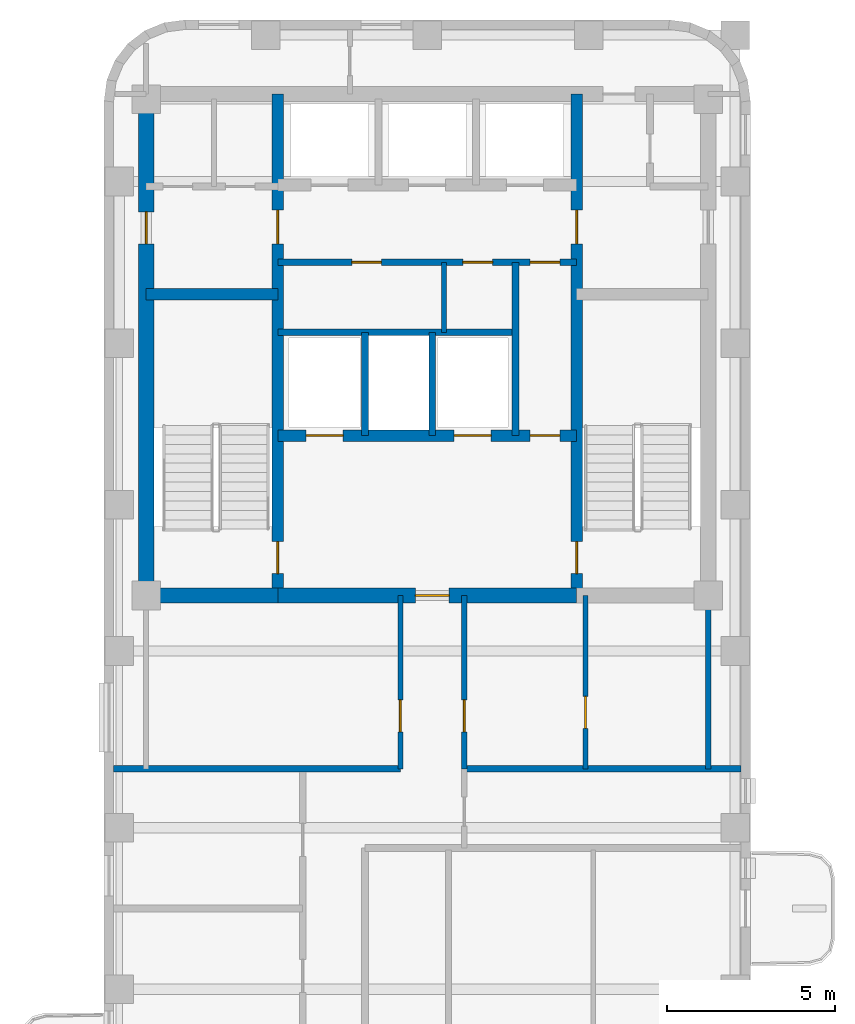
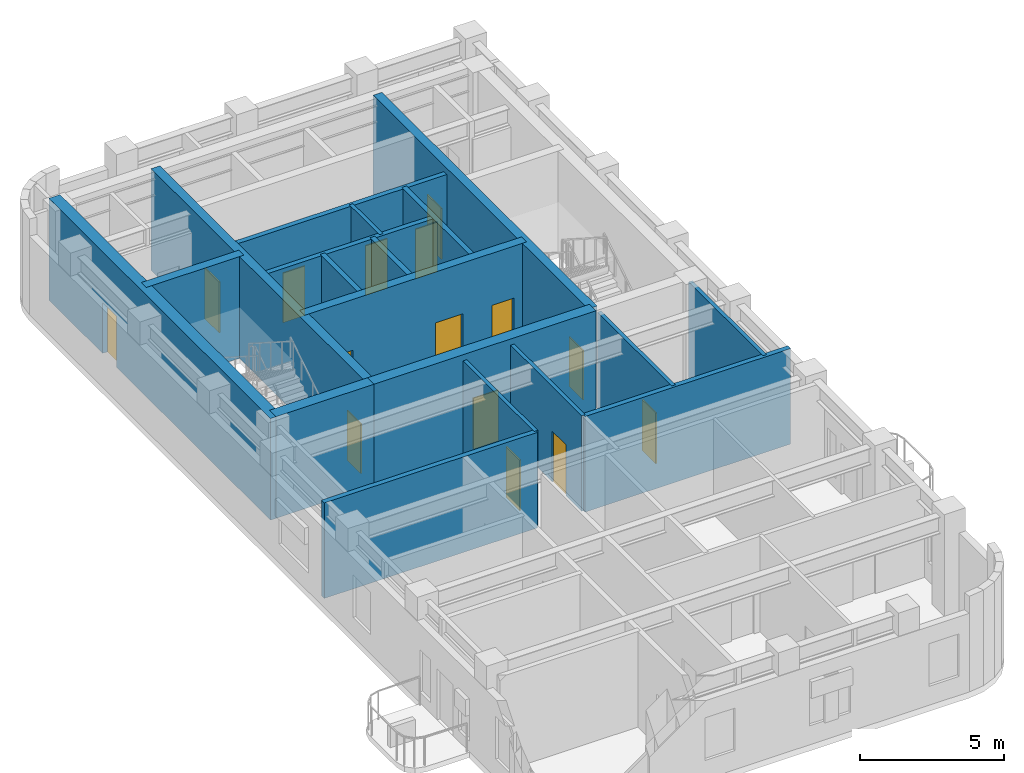
# One storey, part 3 of 6: 19 walls, 15 doors, 15 openings.
"""IFC4 building model written with IfcOpenShell, lengths in metres."""

import ifcopenshell
import ifcopenshell.guid

model = None  # the IFC model being written
_history = None  # IfcOwnerHistory: only IFC2X3 demands one
_inside = {}  # id of a spatial element -> (the spatial element, [elements in it])
_under = {}  # id of a project, library or spatial element -> (it, [spatial elements below it])
_declared = {}  # id of a project -> (the project, [libraries it declares])
_typed = {}  # id of a type object -> (the type object, [elements of that type])
_made_of = {}  # id of a material, layer set ... -> (it, [elements and type objects made of it])


def new_model(schema):
    """Start an empty IFC model of exactly this schema.

    Asked for "IFC4X3", IfcOpenShell would pick the latest addendum, in which some entities
    have other attributes; the version numbers below select the first issue.
    IFC2X3 requires an IfcOwnerHistory on every rooted entity: one is made here for all.
    """
    global model, _history
    if schema == "IFC4X3":
        model = ifcopenshell.file(schema_version=(4, 3, 0, 0))
    else:
        model = ifcopenshell.file(schema=schema)
    _inside.clear()
    _under.clear()
    _declared.clear()
    _typed.clear()
    _made_of.clear()
    _history = None
    if model.schema == "IFC2X3":
        org = make("IfcOrganization", Name="unknown")
        user = make(
            "IfcPersonAndOrganization",
            ThePerson=make("IfcPerson", FamilyName="unknown"),
            TheOrganization=org,
        )
        app = make(
            "IfcApplication",
            ApplicationDeveloper=org,
            Version="unknown",
            ApplicationFullName="unknown",
            ApplicationIdentifier="unknown",
        )
        _history = make(
            "IfcOwnerHistory",
            OwningUser=user,
            OwningApplication=app,
            ChangeAction="ADDED",
            CreationDate=0,
        )
    return model


def make(cls, **values):
    """One entity of the class cls with the attributes given. An attribute that is None is left unset."""
    return model.create_entity(
        cls, **{name: value for name, value in values.items() if value is not None}
    )


def rooted(cls, **values):
    """An entity with a GlobalId (a new one), such as an element, a storey or a relation."""
    return make(cls, GlobalId=ifcopenshell.guid.new(), OwnerHistory=_history, **values)


def si_unit(unit_type, name, prefix=None):
    """IfcSIUnit, for example si_unit("LENGTHUNIT", "METRE", prefix="MILLI")."""
    return make("IfcSIUnit", UnitType=unit_type, Prefix=prefix, Name=name)


def assignment(units):
    """IfcUnitAssignment: the units of a project."""
    return None if units is None else make("IfcUnitAssignment", Units=units)


def point(xyz):
    """IfcCartesianPoint."""
    return None if xyz is None else make("IfcCartesianPoint", Coordinates=xyz)


def direction(xyz):
    """IfcDirection."""
    return None if xyz is None else make("IfcDirection", DirectionRatios=xyz)


def frame(location, z_axis=None, x_axis=None):
    """IfcAxis2Placement3D, a coordinate frame: its origin and axes. An axis left out is left unset."""
    return make(
        "IfcAxis2Placement3D",
        Location=point(location),
        Axis=direction(z_axis),
        RefDirection=direction(x_axis),
    )


def frame_2d(location, x_axis=None):
    """IfcAxis2Placement2D, a coordinate frame in the plane: its origin and x axis."""
    return make(
        "IfcAxis2Placement2D", Location=point(location), RefDirection=direction(x_axis)
    )


def origin():
    """The frame at (0, 0, 0) with its axes left unset."""
    return frame((0.0, 0.0, 0.0))


def place(relative_to, where):
    """IfcLocalPlacement: puts the frame where relative to a parent placement (None: the world)."""
    return make(
        "IfcLocalPlacement", PlacementRelTo=relative_to, RelativePlacement=where
    )


def context(
    kind, dimensions, precision=None, world=None, true_north=None, identifier=None
):
    """IfcGeometricRepresentationContext, for example the 3D "Model" context."""
    return make(
        "IfcGeometricRepresentationContext",
        ContextIdentifier=identifier,
        ContextType=kind,
        CoordinateSpaceDimension=dimensions,
        Precision=precision,
        WorldCoordinateSystem=world,
        TrueNorth=true_north,
    )


def subcontext(parent, identifier, kind, view, scale=None):
    """IfcGeometricRepresentationSubContext, for example "Body" below "Model"."""
    return make(
        "IfcGeometricRepresentationSubContext",
        ContextIdentifier=identifier,
        ContextType=kind,
        ParentContext=parent,
        TargetScale=scale,
        TargetView=view,
    )


def project(units=None, contexts=None):
    """IfcProject with its units and contexts."""
    return rooted(
        "IfcProject",
        Name="project",
        RepresentationContexts=contexts,
        UnitsInContext=assignment(units),
    )


def spatial(cls, under=None, at=None, **own):
    """A site, building, storey or space (cls), placed at a placement, below another one or the project."""
    s = rooted(cls, ObjectPlacement=at, **own)
    if under is not None:
        _under.setdefault(under.id(), (under, []))[1].append(s)
    return s


def profile(cls, at=None, kind="AREA", **sizes):
    """A parametric profile (cls). Its sizes go by their IFC names, for example OverallWidth=200.0."""
    return make(cls, ProfileType=kind, Position=at, **sizes)


def rectangle(**sizes):
    """IfcRectangleProfileDef."""
    return profile("IfcRectangleProfileDef", **sizes)


def extrude(swept, where, along, depth):
    """IfcExtrudedAreaSolid: the profile swept, set in the frame where, extruded along a direction by depth."""
    return make(
        "IfcExtrudedAreaSolid",
        SweptArea=swept,
        Position=where,
        ExtrudedDirection=direction(along),
        Depth=depth,
    )


def shape(context_of_items, identifier, shape_type, items):
    """IfcShapeRepresentation: the items that make up one representation, for example the "Body"."""
    return make(
        "IfcShapeRepresentation",
        ContextOfItems=context_of_items,
        RepresentationIdentifier=identifier,
        RepresentationType=shape_type,
        Items=items,
    )


def material(Name=None, Category=None):
    """IfcMaterial."""
    return make("IfcMaterial", Name=Name, Category=Category)


def layer(
    of_material, thickness, ventilated=None, Name=None, Category=None, Priority=None
):
    """IfcMaterialLayer: one layer of a wall or slab, of a material (None: an air gap)."""
    return make(
        "IfcMaterialLayer",
        Material=of_material,
        LayerThickness=thickness,
        IsVentilated=ventilated,
        Name=Name,
        Category=Category,
        Priority=Priority,
    )


def layer_set(layers, Name=None):
    """IfcMaterialLayerSet."""
    return make("IfcMaterialLayerSet", MaterialLayers=layers, LayerSetName=Name)


def made_of(thing, what):
    """Note that an element or type object is made of a material, layer set ...; save() writes the relation."""
    if what is not None:
        _made_of.setdefault(what.id(), (what, []))[1].append(thing)
    return thing


def type_object(cls, material=None, **own):
    """A type object (cls), such as IfcWallType, which elements share."""
    return made_of(rooted(cls, **own), material)


def element(
    cls,
    number,
    at=None,
    inside=None,
    cuts=None,
    type_object=None,
    material=None,
    context=None,
    identifier="Body",
    shape_type=None,
    held_by="IfcProductDefinitionShape",
    body=None,
    shapes=None,
    **own,
):
    """One element of the class cls, such as IfcWall. Its Tag is "e" and its number.

    at: its placement. inside: the storey or other place that contains it. cuts: it is an
    opening in that element (IfcRelVoidsElement). A single representation is given by context,
    identifier, shape_type and body (its items); several are given by shapes. held_by: the class
    of the entity that holds the representations. save() writes the other relations.
    """
    e = rooted(cls, Tag="e%d" % number, ObjectPlacement=at, **own)
    if body is not None:
        shapes = [shape(context, identifier, shape_type, body)]
    if shapes is not None:
        e.Representation = make(held_by, Representations=shapes)
    if inside is not None:
        _inside.setdefault(inside.id(), (inside, []))[1].append(e)
    if cuts is not None:
        rooted(
            "IfcRelVoidsElement", RelatingBuildingElement=cuts, RelatedOpeningElement=e
        )
    if type_object is not None:
        _typed.setdefault(type_object.id(), (type_object, []))[1].append(e)
    return made_of(e, material)


def fill(opening, filler):
    """IfcRelFillsElement: the door or window that sits in an opening."""
    return rooted(
        "IfcRelFillsElement",
        RelatingOpeningElement=opening,
        RelatedBuildingElement=filler,
    )


def aggregate(whole, parts):
    """IfcRelAggregates: a whole, such as a stair, and the parts it consists of."""
    return rooted("IfcRelAggregates", RelatingObject=whole, RelatedObjects=parts)


def save(model, path):
    """Write the relations noted so far, then the file.

    IfcRelAggregates (storeys below a building ...), IfcRelContainedInSpatialStructure (elements
    in a storey), IfcRelDefinesByType, IfcRelAssociatesMaterial and IfcRelDeclares: one each for
    every whole, place, type object, material and project.
    """
    for whole, parts in _under.values():
        aggregate(whole, parts)
    for where, things in _inside.values():
        rooted(
            "IfcRelContainedInSpatialStructure",
            RelatedElements=things,
            RelatingStructure=where,
        )
    for kind, things in _typed.values():
        rooted("IfcRelDefinesByType", RelatedObjects=things, RelatingType=kind)
    for what, things in _made_of.values():
        rooted("IfcRelAssociatesMaterial", RelatedObjects=things, RelatingMaterial=what)
    for by, libraries in _declared.values():
        rooted("IfcRelDeclares", RelatingContext=by, RelatedDefinitions=libraries)
    model.write(path)


model = new_model("IFC4")

# Units and contexts
model_context = context("Model", 3, precision=1e-05, world=origin(), true_north=direction((0.0, 1.0)))
body_context = subcontext(model_context, "Body", "Model", "MODEL_VIEW")
ifc_project = project(units=[si_unit("LENGTHUNIT", "METRE"), si_unit("AREAUNIT", "SQUARE_METRE"), si_unit("VOLUMEUNIT", "CUBIC_METRE"), si_unit("PLANEANGLEUNIT", "RADIAN"), si_unit("MASSUNIT", "GRAM", prefix="KILO")], contexts=[model_context])

# Site, building, storey
site_placement = place(None, origin())
site = spatial("IfcSite", under=ifc_project, at=site_placement, CompositionType="ELEMENT")
building_placement = place(site_placement, origin())
building = spatial("IfcBuilding", under=site, at=building_placement, Name="Orvandelia Arch Residences", CompositionType="ELEMENT")
storey_placement = place(building_placement, frame((0.0, 0.0, 244.10009765625)))
storey = spatial("IfcBuildingStorey", under=building, at=storey_placement, Name="L64", CompositionType="ELEMENT", Elevation=244.10009765625)

# Wall, openings, doors
ifc_material_1 = material(Name="Concrete C50/60", Category="concrete")
ifc_layer_1 = layer(ifc_material_1, 0.35009765625, Name="Concrete C50/60", Category="concrete")
ifc_layer_set_1 = layer_set([ifc_layer_1], Name="Concrete C50/60")
wall_type_1 = type_object("IfcWallType", Name="WL-CORE-350", PredefinedType="SHEAR", material=ifc_layer_set_1)
wall_1_placement = place(storey_placement, frame((9.9599609375, 30.89990234375, 0.0), z_axis=(0.0, 0.0, 1.0), x_axis=(0.0, 1.0, 0.0)))
wall_1 = element("IfcWall", 1, at=wall_1_placement, inside=storey, type_object=wall_type_1, Name="Core Shear Wall L64-WEB1", PredefinedType="SHEAR", context=body_context, shape_type="SweptSolid", body=[
    extrude(rectangle(XDim=14.900146484375, YDim=0.35009765625, at=frame_2d((7.4501953125, 0.0))), origin(), (0.0, 0.0, 1.0), 4.2998046875),
])
opening_1_placement = place(wall_1_placement, frame((0.64990234375, 0.0, 0.0)))
opening_1 = element("IfcOpeningElement", 2, at=opening_1_placement, cuts=wall_1, Name="Opening D7", PredefinedType="OPENING", context=body_context, shape_type="SweptSolid", body=[
    extrude(rectangle(XDim=0.949951171875, YDim=2.10009765625, at=frame_2d((0.47509765625, 1.050048828125))), frame((0.0, 0.18505859375, 0.0), z_axis=(0.0, -1.0, 0.0), x_axis=(1.0, 0.0, 0.0)), (0.0, 0.0, 1.0), 0.3701171875),
])
opening_2_placement = place(wall_1_placement, frame((10.449951171875, 0.0, 0.0)))
opening_2 = element("IfcOpeningElement", 3, at=opening_2_placement, cuts=wall_1, Name="Opening D6", PredefinedType="OPENING", context=body_context, shape_type="SweptSolid", body=[
    extrude(rectangle(XDim=1.0, YDim=2.14990234375, at=frame_2d((0.5, 1.074951171875))), frame((0.0, 0.18505859375, 0.0), z_axis=(0.0, -1.0, 0.0), x_axis=(1.0, 0.0, 0.0)), (0.0, 0.0, 1.0), 0.3701171875),
])
ifc_material_2 = material(Name="Smokeproof Painted Steel Fire Door", Category="steel")
door_type_1 = type_object("IfcDoorType", Name="DR-FD60-1000", OperationType="NOTDEFINED", PredefinedType="DOOR", material=ifc_material_2)
door_1_placement = place(opening_2_placement, origin())
door_1 = element("IfcDoor", 4, at=door_1_placement, inside=storey, type_object=door_type_1, Name="High-Rise Lift Hall West Vestibule Door L64", OperationType="SINGLE_SWING_LEFT", OverallHeight=2.14990234375, OverallWidth=1.0, PredefinedType="DOOR", context=body_context, shape_type="SweptSolid", body=[
    extrude(rectangle(XDim=1.0, YDim=2.14990234375, at=frame_2d((0.5, 1.074951171875))), frame((0.0, 0.02490234375, 0.0), z_axis=(0.0, -1.0, 0.0), x_axis=(1.0, 0.0, 0.0)), (0.0, 0.0, 1.0), 0.050048828125),
])
fill(opening_2, door_1)
ifc_material_3 = material(Name="Pressurised Stairwell Fire Door")
door_type_2 = type_object("IfcDoorType", Name="DR-STAIR-950", OperationType="NOTDEFINED", PredefinedType="DOOR", material=ifc_material_3)
door_2_placement = place(opening_1_placement, origin())
door_2 = element("IfcDoor", 5, at=door_2_placement, inside=storey, type_object=door_type_2, Name="Stairwell ST-1 Fire Door L64", OperationType="SINGLE_SWING_LEFT", OverallHeight=2.10009765625, OverallWidth=0.949951171875, PredefinedType="DOOR", context=body_context, shape_type="SweptSolid", body=[
    extrude(rectangle(XDim=0.949951171875, YDim=2.10009765625, at=frame_2d((0.47509765625, 1.050048828125))), frame((0.0, 0.02490234375, 0.0), z_axis=(0.0, -1.0, 0.0), x_axis=(1.0, 0.0, 0.0)), (0.0, 0.0, 1.0), 0.050048828125),
])
fill(opening_1, door_2)

wall_2_placement = place(storey_placement, frame((18.840087890625, 30.89990234375, 0.0), z_axis=(0.0, 0.0, 1.0), x_axis=(0.0, 1.0, 0.0)))
wall_2 = element("IfcWall", 6, at=wall_2_placement, inside=storey, type_object=wall_type_1, Name="Core Shear Wall L64-WEB2", PredefinedType="SHEAR", context=body_context, shape_type="SweptSolid", body=[
    extrude(rectangle(XDim=14.900146484375, YDim=0.35009765625, at=frame_2d((7.4501953125, 0.0))), origin(), (0.0, 0.0, 1.0), 4.2998046875),
])
opening_3_placement = place(wall_2_placement, frame((0.64990234375, 0.0, 0.0)))
opening_3 = element("IfcOpeningElement", 7, at=opening_3_placement, cuts=wall_2, Name="Opening D7", PredefinedType="OPENING", context=body_context, shape_type="SweptSolid", body=[
    extrude(rectangle(XDim=0.949951171875, YDim=2.10009765625, at=frame_2d((0.47509765625, 1.050048828125))), frame((0.0, 0.18505859375, 0.0), z_axis=(0.0, -1.0, 0.0), x_axis=(1.0, 0.0, 0.0)), (0.0, 0.0, 1.0), 0.3701171875),
])
opening_4_placement = place(wall_2_placement, frame((10.449951171875, 0.0, 0.0)))
opening_4 = element("IfcOpeningElement", 8, at=opening_4_placement, cuts=wall_2, Name="Opening D6", PredefinedType="OPENING", context=body_context, shape_type="SweptSolid", body=[
    extrude(rectangle(XDim=1.0, YDim=2.14990234375, at=frame_2d((0.5, 1.074951171875))), frame((0.0, 0.18505859375, 0.0), z_axis=(0.0, -1.0, 0.0), x_axis=(1.0, 0.0, 0.0)), (0.0, 0.0, 1.0), 0.3701171875),
])
door_3_placement = place(opening_4_placement, origin())
door_3 = element("IfcDoor", 9, at=door_3_placement, inside=storey, type_object=door_type_1, Name="High-Rise Lift Hall East Vestibule Door L64", OperationType="SINGLE_SWING_RIGHT", OverallHeight=2.14990234375, OverallWidth=1.0, PredefinedType="DOOR", context=body_context, shape_type="SweptSolid", body=[
    extrude(rectangle(XDim=1.0, YDim=2.14990234375, at=frame_2d((0.5, 1.074951171875))), frame((0.0, 0.02490234375, 0.0), z_axis=(0.0, -1.0, 0.0), x_axis=(1.0, 0.0, 0.0)), (0.0, 0.0, 1.0), 0.050048828125),
])
fill(opening_4, door_3)
door_4_placement = place(opening_3_placement, origin())
door_4 = element("IfcDoor", 10, at=door_4_placement, inside=storey, type_object=door_type_2, Name="Stairwell ST-2 Fire Door L64", OperationType="SINGLE_SWING_RIGHT", OverallHeight=2.10009765625, OverallWidth=0.949951171875, PredefinedType="DOOR", context=body_context, shape_type="SweptSolid", body=[
    extrude(rectangle(XDim=0.949951171875, YDim=2.10009765625, at=frame_2d((0.47509765625, 1.050048828125))), frame((0.0, 0.02490234375, 0.0), z_axis=(0.0, -1.0, 0.0), x_axis=(1.0, 0.0, 0.0)), (0.0, 0.0, 1.0), 0.050048828125),
])
fill(opening_3, door_4)

# Wall
wall_3_placement = place(storey_placement, frame((6.050048828125, 39.85009765625, 0.0), z_axis=(0.0, 0.0, 1.0), x_axis=(1.0, 0.0, 0.0)))
element("IfcWall", 11, at=wall_3_placement, inside=storey, type_object=wall_type_1, Name="Core Shear Wall L64-HZ1", PredefinedType="SHEAR", context=body_context, shape_type="SweptSolid", body=[
    extrude(rectangle(XDim=3.909912109375, YDim=0.35009765625, at=frame_2d((1.955078125, 0.0))), origin(), (0.0, 0.0, 1.0), 4.2998046875),
])

# Wall, openings, doors
wall_4_placement = place(storey_placement, frame((9.9599609375, 35.64990234375, 0.0), z_axis=(0.0, 0.0, 1.0), x_axis=(1.0, 0.0, 0.0)))
wall_4 = element("IfcWall", 12, at=wall_4_placement, inside=storey, type_object=wall_type_1, Name="Core Shear Wall L64-HZ3", PredefinedType="SHEAR", context=body_context, shape_type="SweptSolid", body=[
    extrude(rectangle(XDim=8.880126953125, YDim=0.35009765625, at=frame_2d((4.43994140625, 0.0))), origin(), (0.0, 0.0, 1.0), 4.2998046875),
])
opening_5_placement = place(wall_4_placement, frame((0.840087890625, 0.0, 0.0)))
opening_5 = element("IfcOpeningElement", 13, at=opening_5_placement, cuts=wall_4, Name="Opening FLD", PredefinedType="OPENING", context=body_context, shape_type="SweptSolid", body=[
    extrude(rectangle(XDim=1.10009765625, YDim=2.14990234375, at=frame_2d((0.550048828125, 1.074951171875))), frame((0.0, 0.18505859375, 0.0), z_axis=(0.0, -1.0, 0.0), x_axis=(1.0, 0.0, 0.0)), (0.0, 0.0, 1.0), 0.3701171875),
])
opening_6_placement = place(wall_4_placement, frame((5.239990234375, 0.0, 0.0)))
opening_6 = element("IfcOpeningElement", 14, at=opening_6_placement, cuts=wall_4, Name="Opening FLD", PredefinedType="OPENING", context=body_context, shape_type="SweptSolid", body=[
    extrude(rectangle(XDim=1.10009765625, YDim=2.14990234375, at=frame_2d((0.550048828125, 1.074951171875))), frame((0.0, 0.18505859375, 0.0), z_axis=(0.0, -1.0, 0.0), x_axis=(1.0, 0.0, 0.0)), (0.0, 0.0, 1.0), 0.3701171875),
])
opening_7_placement = place(wall_4_placement, frame((7.5, 0.0, 0.0)))
opening_7 = element("IfcOpeningElement", 15, at=opening_7_placement, cuts=wall_4, Name="Opening D5", PredefinedType="OPENING", context=body_context, shape_type="SweptSolid", body=[
    extrude(rectangle(XDim=0.8798828125, YDim=2.10009765625, at=frame_2d((0.43994140625, 1.050048828125))), frame((0.0, 0.18505859375, 0.0), z_axis=(0.0, -1.0, 0.0), x_axis=(1.0, 0.0, 0.0)), (0.0, 0.0, 1.0), 0.3701171875),
])
ifc_material_4 = material(Name="Firefighting Lift Stainless Sliding Door")
door_type_3 = type_object("IfcDoorType", Name="DR-FLFT-1100", OperationType="NOTDEFINED", PredefinedType="DOOR", material=ifc_material_4)
door_5_placement = place(opening_5_placement, origin())
door_5 = element("IfcDoor", 16, at=door_5_placement, inside=storey, type_object=door_type_3, Name="Firefighting Lift Landing Door FLD-FL1-L64", OperationType="SLIDING_TO_LEFT", OverallHeight=2.14990234375, OverallWidth=1.10009765625, PredefinedType="DOOR", context=body_context, shape_type="SweptSolid", body=[
    extrude(rectangle(XDim=1.10009765625, YDim=2.14990234375, at=frame_2d((0.550048828125, 1.074951171875))), frame((0.0, 0.02490234375, 0.0), z_axis=(0.0, -1.0, 0.0), x_axis=(1.0, 0.0, 0.0)), (0.0, 0.0, 1.0), 0.050048828125),
])
fill(opening_5, door_5)
door_6_placement = place(opening_6_placement, origin())
door_6 = element("IfcDoor", 17, at=door_6_placement, inside=storey, type_object=door_type_3, Name="Firefighting Lift Landing Door FLD-FL2-L64", OperationType="SLIDING_TO_RIGHT", OverallHeight=2.14990234375, OverallWidth=1.10009765625, PredefinedType="DOOR", context=body_context, shape_type="SweptSolid", body=[
    extrude(rectangle(XDim=1.10009765625, YDim=2.14990234375, at=frame_2d((0.550048828125, 1.074951171875))), frame((0.0, 0.02490234375, 0.0), z_axis=(0.0, -1.0, 0.0), x_axis=(1.0, 0.0, 0.0)), (0.0, 0.0, 1.0), 0.050048828125),
])
fill(opening_6, door_6)
ifc_material_5 = material(Name="Painted Galvanised Steel Service Door", Category="steel")
door_type_4 = type_object("IfcDoorType", Name="DR-SRV-880", OperationType="NOTDEFINED", PredefinedType="DOOR", material=ifc_material_5)
door_7_placement = place(opening_7_placement, origin())
door_7 = element("IfcDoor", 18, at=door_7_placement, inside=storey, type_object=door_type_4, Name="Core Stairway Passage South Fire Door L64", OperationType="SINGLE_SWING_LEFT", OverallHeight=2.10009765625, OverallWidth=0.8798828125, PredefinedType="DOOR", context=body_context, shape_type="SweptSolid", body=[
    extrude(rectangle(XDim=0.8798828125, YDim=2.10009765625, at=frame_2d((0.43994140625, 1.050048828125))), frame((0.0, 0.02490234375, 0.0), z_axis=(0.0, -1.0, 0.0), x_axis=(1.0, 0.0, 0.0)), (0.0, 0.0, 1.0), 0.050048828125),
])
fill(opening_7, door_7)

# Wall, opening, door
ifc_layer_2 = layer(ifc_material_1, 0.449951171875, Name="Concrete C50/60", Category="concrete")
ifc_layer_set_2 = layer_set([ifc_layer_2], Name="Concrete C50/60")
wall_type_2 = type_object("IfcWallType", Name="WL-CORE-450", PredefinedType="SHEAR", material=ifc_layer_set_2)
wall_5_placement = place(storey_placement, frame((6.050048828125, 30.675048828125, 0.0), z_axis=(0.0, 0.0, 1.0), x_axis=(0.0, 1.0, 0.0)))
wall_5 = element("IfcWall", 19, at=wall_5_placement, inside=storey, type_object=wall_type_2, Name="Core Shear Wall L64-W", PredefinedType="SHEAR", context=body_context, shape_type="SweptSolid", body=[
    extrude(rectangle(XDim=15.349853515625, YDim=0.449951171875, at=frame_2d((7.6748046875, 0.0))), origin(), (0.0, 0.0, 1.0), 4.2998046875),
])
opening_8_placement = place(wall_5_placement, frame((10.675048828125, 0.0, 0.0)))
opening_8 = element("IfcOpeningElement", 20, at=opening_8_placement, cuts=wall_5, Name="Opening D2", PredefinedType="OPENING", context=body_context, shape_type="SweptSolid", body=[
    extrude(rectangle(XDim=0.949951171875, YDim=2.14990234375, at=frame_2d((0.47509765625, 1.074951171875))), frame((0.0, 0.23486328125, 0.0), z_axis=(0.0, -1.0, 0.0), x_axis=(1.0, 0.0, 0.0)), (0.0, 0.0, 1.0), 0.469970703125),
])
ifc_material_6 = material(Name="Solid-Core Timber Interior Fire Door", Category="wood")
door_type_5 = type_object("IfcDoorType", Name="DR-APT-950", OperationType="NOTDEFINED", PredefinedType="DOOR", material=ifc_material_6)
door_8_placement = place(opening_8_placement, origin())
door_8 = element("IfcDoor", 21, at=door_8_placement, inside=storey, type_object=door_type_5, Name="West Viewing Study Door L64", OperationType="SINGLE_SWING_RIGHT", OverallHeight=2.14990234375, OverallWidth=0.949951171875, PredefinedType="DOOR", context=body_context, shape_type="SweptSolid", body=[
    extrude(rectangle(XDim=0.949951171875, YDim=2.14990234375, at=frame_2d((0.47509765625, 1.074951171875))), frame((0.0, 0.02490234375, 0.0), z_axis=(0.0, -1.0, 0.0), x_axis=(1.0, 0.0, 0.0)), (0.0, 0.0, 1.0), 0.050048828125),
])
fill(opening_8, door_8)

# Wall
wall_6_placement = place(storey_placement, frame((6.050048828125, 30.89990234375, 0.0), z_axis=(0.0, 0.0, 1.0), x_axis=(1.0, 0.0, 0.0)))
element("IfcWall", 22, at=wall_6_placement, inside=storey, type_object=wall_type_2, Name="Core Shear Wall L64-SW", PredefinedType="SHEAR", context=body_context, shape_type="SweptSolid", body=[
    extrude(rectangle(XDim=3.909912109375, YDim=0.449951171875, at=frame_2d((1.955078125, 0.0))), origin(), (0.0, 0.0, 1.0), 4.2998046875),
])

# Wall, opening, door
wall_7_placement = place(storey_placement, frame((9.9599609375, 30.89990234375, 0.0), z_axis=(0.0, 0.0, 1.0), x_axis=(1.0, 0.0, 0.0)))
wall_7 = element("IfcWall", 23, at=wall_7_placement, inside=storey, type_object=wall_type_2, Name="Core Shear Wall L64-SM", PredefinedType="SHEAR", context=body_context, shape_type="SweptSolid", body=[
    extrude(rectangle(XDim=8.880126953125, YDim=0.449951171875, at=frame_2d((4.43994140625, 0.0))), origin(), (0.0, 0.0, 1.0), 4.2998046875),
])
opening_9_placement = place(wall_7_placement, frame((4.090087890625, 0.0, 0.0)))
opening_9 = element("IfcOpeningElement", 24, at=opening_9_placement, cuts=wall_7, Name="Opening D6", PredefinedType="OPENING", context=body_context, shape_type="SweptSolid", body=[
    extrude(rectangle(XDim=1.0, YDim=2.14990234375, at=frame_2d((0.5, 1.074951171875))), frame((0.0, 0.23486328125, 0.0), z_axis=(0.0, -1.0, 0.0), x_axis=(1.0, 0.0, 0.0)), (0.0, 0.0, 1.0), 0.469970703125),
])
door_9_placement = place(opening_9_placement, origin())
door_9 = element("IfcDoor", 25, at=door_9_placement, inside=storey, type_object=door_type_1, Name="Firefighting Lobby Smokeproof Door L64", OperationType="SINGLE_SWING_LEFT", OverallHeight=2.14990234375, OverallWidth=1.0, PredefinedType="DOOR", context=body_context, shape_type="SweptSolid", body=[
    extrude(rectangle(XDim=1.0, YDim=2.14990234375, at=frame_2d((0.5, 1.074951171875))), frame((0.0, 0.02490234375, 0.0), z_axis=(0.0, -1.0, 0.0), x_axis=(1.0, 0.0, 0.0)), (0.0, 0.0, 1.0), 0.050048828125),
])
fill(opening_9, door_9)

# Walls
ifc_material_7 = material(Name="Fire-Rated Corridor Partition")
ifc_layer_3 = layer(ifc_material_7, 0.199951171875, Name="Fire-Rated Corridor Partition")
ifc_layer_set_3 = layer_set([ifc_layer_3], Name="Fire-Rated Corridor Partition")
wall_type_3 = type_object("IfcWallType", Name="WL-CORR-200", PredefinedType="PARTITIONING", material=ifc_layer_set_3)
wall_8_placement = place(storey_placement, frame((5.080078125, 25.75, 0.0), z_axis=(0.0, 0.0, 1.0), x_axis=(1.0, 0.0, 0.0)))
element("IfcWall", 26, at=wall_8_placement, inside=storey, type_object=wall_type_3, Name="Interior Partition Wall WL-L64-WLNK-N", PredefinedType="PARTITIONING", context=body_context, shape_type="SweptSolid", body=[
    extrude(rectangle(XDim=8.52001953125, YDim=0.199951171875, at=frame_2d((4.260009765625, 0.0))), origin(), (0.0, 0.0, 1.0), 4.039794921875),
])
wall_9_placement = place(storey_placement, frame((15.5, 25.75, 0.0), z_axis=(0.0, 0.0, 1.0), x_axis=(1.0, 0.0, 0.0)))
element("IfcWall", 27, at=wall_9_placement, inside=storey, type_object=wall_type_3, Name="Interior Partition Wall WL-L64-WLNK-NE2", PredefinedType="PARTITIONING", context=body_context, shape_type="SweptSolid", body=[
    extrude(rectangle(XDim=8.219970703125, YDim=0.199951171875, at=frame_2d((4.10986328125, 0.0))), origin(), (0.0, 0.0, 1.0), 4.039794921875),
])
ifc_material_8 = material(Name="Acoustic Gypsum Stud Partition")
ifc_layer_4 = layer(ifc_material_8, 0.14990234375, Name="Acoustic Gypsum Stud Partition")
ifc_layer_set_4 = layer_set([ifc_layer_4], Name="Acoustic Gypsum Stud Partition")
wall_type_4 = type_object("IfcWallType", Name="WL-PART-150", PredefinedType="PARTITIONING", material=ifc_layer_set_4)
wall_10_placement = place(storey_placement, frame((14.89990234375, 38.719970703125, 0.0), z_axis=(0.0, 0.0, 1.0), x_axis=(0.0, 1.0, 0.0)))
element("IfcWall", 28, at=wall_10_placement, inside=storey, type_object=wall_type_4, Name="Interior Partition Wall WL-L64-CSA-1", PredefinedType="PARTITIONING", context=body_context, shape_type="SweptSolid", body=[
    extrude(rectangle(XDim=2.080078125, YDim=0.14990234375, at=frame_2d((1.0400390625, 0.0))), origin(), (0.0, 0.0, 1.0), 4.039794921875),
])

# Wall, opening, door
wall_11_placement = place(storey_placement, frame((13.60009765625, 25.75, 0.0), z_axis=(0.0, 0.0, 1.0), x_axis=(0.0, 1.0, 0.0)))
wall_11 = element("IfcWall", 29, at=wall_11_placement, inside=storey, type_object=wall_type_4, Name="Interior Partition Wall WL-L64-HI-W1", PredefinedType="PARTITIONING", context=body_context, shape_type="SweptSolid", body=[
    extrude(rectangle(XDim=5.14990234375, YDim=0.14990234375, at=frame_2d((2.574951171875, 0.0))), origin(), (0.0, 0.0, 1.0), 4.039794921875),
])
opening_10_placement = place(wall_11_placement, frame((1.10009765625, 0.0, 0.0)))
opening_10 = element("IfcOpeningElement", 30, at=opening_10_placement, cuts=wall_11, Name="Opening D2", PredefinedType="OPENING", context=body_context, shape_type="SweptSolid", body=[
    extrude(rectangle(XDim=0.949951171875, YDim=2.14990234375, at=frame_2d((0.47509765625, 1.074951171875))), frame((0.0, 0.0849609375, 0.0), z_axis=(0.0, -1.0, 0.0), x_axis=(1.0, 0.0, 0.0)), (0.0, 0.0, 1.0), 0.169921875),
])
door_10_placement = place(opening_10_placement, origin())
door_10 = element("IfcDoor", 31, at=door_10_placement, inside=storey, type_object=door_type_5, Name="DR-L64-HIR1", OperationType="SINGLE_SWING_LEFT", OverallHeight=2.14990234375, OverallWidth=0.949951171875, PredefinedType="DOOR", context=body_context, shape_type="SweptSolid", body=[
    extrude(rectangle(XDim=0.949951171875, YDim=2.14990234375, at=frame_2d((0.47509765625, 1.074951171875))), frame((0.0, 0.02490234375, 0.0), z_axis=(0.0, -1.0, 0.0), x_axis=(1.0, 0.0, 0.0)), (0.0, 0.0, 1.0), 0.050048828125),
])
fill(opening_10, door_10)

wall_12_placement = place(storey_placement, frame((15.5, 25.75, 0.0), z_axis=(0.0, 0.0, 1.0), x_axis=(0.0, 1.0, 0.0)))
wall_12 = element("IfcWall", 32, at=wall_12_placement, inside=storey, type_object=wall_type_4, Name="Interior Partition Wall WL-L64-HI-W2", PredefinedType="PARTITIONING", context=body_context, shape_type="SweptSolid", body=[
    extrude(rectangle(XDim=5.14990234375, YDim=0.14990234375, at=frame_2d((2.574951171875, 0.0))), origin(), (0.0, 0.0, 1.0), 4.039794921875),
])
opening_11_placement = place(wall_12_placement, frame((1.10009765625, 0.0, 0.0)))
opening_11 = element("IfcOpeningElement", 33, at=opening_11_placement, cuts=wall_12, Name="Opening D2", PredefinedType="OPENING", context=body_context, shape_type="SweptSolid", body=[
    extrude(rectangle(XDim=0.949951171875, YDim=2.14990234375, at=frame_2d((0.47509765625, 1.074951171875))), frame((0.0, 0.0849609375, 0.0), z_axis=(0.0, -1.0, 0.0), x_axis=(1.0, 0.0, 0.0)), (0.0, 0.0, 1.0), 0.169921875),
])
door_11_placement = place(opening_11_placement, origin())
door_11 = element("IfcDoor", 34, at=door_11_placement, inside=storey, type_object=door_type_5, Name="DR-L64-HIR2A", OperationType="SINGLE_SWING_RIGHT", OverallHeight=2.14990234375, OverallWidth=0.949951171875, PredefinedType="DOOR", context=body_context, shape_type="SweptSolid", body=[
    extrude(rectangle(XDim=0.949951171875, YDim=2.14990234375, at=frame_2d((0.47509765625, 1.074951171875))), frame((0.0, 0.02490234375, 0.0), z_axis=(0.0, -1.0, 0.0), x_axis=(1.0, 0.0, 0.0)), (0.0, 0.0, 1.0), 0.050048828125),
])
fill(opening_11, door_11)

# Wall
wall_13_placement = place(storey_placement, frame((22.75, 25.75, 0.0), z_axis=(0.0, 0.0, 1.0), x_axis=(0.0, 1.0, 0.0)))
element("IfcWall", 35, at=wall_13_placement, inside=storey, type_object=wall_type_4, Name="Interior Partition Wall WL-L64-HI-WE", PredefinedType="PARTITIONING", context=body_context, shape_type="SweptSolid", body=[
    extrude(rectangle(XDim=5.14990234375, YDim=0.14990234375, at=frame_2d((2.574951171875, 0.0))), origin(), (0.0, 0.0, 1.0), 4.039794921875),
])

# Wall, opening, door
wall_14_placement = place(storey_placement, frame((19.10009765625, 25.75, 0.0), z_axis=(0.0, 0.0, 1.0), x_axis=(0.0, 1.0, 0.0)))
wall_14 = element("IfcWall", 36, at=wall_14_placement, inside=storey, type_object=wall_type_4, Name="Interior Partition Wall WL-L64-HIR-M2", PredefinedType="PARTITIONING", context=body_context, shape_type="SweptSolid", body=[
    extrude(rectangle(XDim=5.14990234375, YDim=0.14990234375, at=frame_2d((2.574951171875, 0.0))), origin(), (0.0, 0.0, 1.0), 4.039794921875),
])
opening_12_placement = place(wall_14_placement, frame((1.199951171875, 0.0, 0.0)))
opening_12 = element("IfcOpeningElement", 37, at=opening_12_placement, cuts=wall_14, Name="Opening D2", PredefinedType="OPENING", context=body_context, shape_type="SweptSolid", body=[
    extrude(rectangle(XDim=0.949951171875, YDim=2.14990234375, at=frame_2d((0.47509765625, 1.074951171875))), frame((0.0, 0.0849609375, 0.0), z_axis=(0.0, -1.0, 0.0), x_axis=(1.0, 0.0, 0.0)), (0.0, 0.0, 1.0), 0.169921875),
])
door_12_placement = place(opening_12_placement, origin())
door_12 = element("IfcDoor", 38, at=door_12_placement, inside=storey, type_object=door_type_5, Name="DR-L64-HIR2B", OperationType="SINGLE_SWING_LEFT", OverallHeight=2.14990234375, OverallWidth=0.949951171875, PredefinedType="DOOR", context=body_context, shape_type="SweptSolid", body=[
    extrude(rectangle(XDim=0.949951171875, YDim=2.14990234375, at=frame_2d((0.47509765625, 1.074951171875))), frame((0.0, 0.02490234375, 0.0), z_axis=(0.0, -1.0, 0.0), x_axis=(1.0, 0.0, 0.0)), (0.0, 0.0, 1.0), 0.050048828125),
])
fill(opening_12, door_12)

# Walls
ifc_material_9 = material(Name="Fire-Rated Shaft Enclosure Wall")
ifc_layer_5 = layer(ifc_material_9, 0.199951171875, Name="Fire-Rated Shaft Enclosure Wall")
ifc_layer_set_5 = layer_set([ifc_layer_5], Name="Fire-Rated Shaft Enclosure Wall")
wall_type_5 = type_object("IfcWallType", Name="WL-SHAFT-200", PredefinedType="POLYGONAL", material=ifc_layer_set_5)
wall_15_placement = place(storey_placement, frame((9.9599609375, 38.719970703125, 0.0), z_axis=(0.0, 0.0, 1.0), x_axis=(1.0, 0.0, 0.0)))
element("IfcWall", 39, at=wall_15_placement, inside=storey, type_object=wall_type_5, Name="Interior Partition Wall WL-L64-FLN", PredefinedType="POLYGONAL", context=body_context, shape_type="SweptSolid", body=[
    extrude(rectangle(XDim=7.06005859375, YDim=0.199951171875, at=frame_2d((3.530029296875, 0.0))), origin(), (0.0, 0.0, 1.0), 4.039794921875),
])
for number, where, z_axis, x_axis, name in (
    (40, (12.550048828125, 35.64990234375, 0.0), (0.0, 0.0, 1.0), (0.0, 1.0, 0.0), "Interior Partition Wall WL-L64-FLM1"),
    (41, (14.550048828125, 35.64990234375, 0.0), (0.0, 0.0, 1.0), (0.0, 1.0, 0.0), "Interior Partition Wall WL-L64-FLM2"),
):
    element("IfcWall", number, at=place(storey_placement, frame(where, z_axis=z_axis, x_axis=x_axis)), inside=storey, type_object=wall_type_5, Name=name, PredefinedType="POLYGONAL", context=body_context, shape_type="SweptSolid", body=[
        extrude(rectangle(XDim=3.070068359375, YDim=0.199951171875, at=frame_2d((1.53515625, 0.0))), origin(), (0.0, 0.0, 1.0), 4.039794921875),
    ])
wall_16_placement = place(storey_placement, frame((17.02001953125, 35.64990234375, 0.0), z_axis=(0.0, 0.0, 1.0), x_axis=(0.0, 1.0, 0.0)))
element("IfcWall", 42, at=wall_16_placement, inside=storey, type_object=wall_type_5, Name="Interior Partition Wall WL-L64-FLM3", PredefinedType="POLYGONAL", context=body_context, shape_type="SweptSolid", body=[
    extrude(rectangle(XDim=5.150146484375, YDim=0.199951171875, at=frame_2d((2.5751953125, 0.0))), origin(), (0.0, 0.0, 1.0), 4.039794921875),
])

# Wall, openings, doors
wall_17_placement = place(storey_placement, frame((9.9599609375, 40.800048828125, 0.0), z_axis=(0.0, 0.0, 1.0), x_axis=(1.0, 0.0, 0.0)))
wall_17 = element("IfcWall", 43, at=wall_17_placement, inside=storey, type_object=wall_type_5, Name="Interior Partition Wall WL-L64-HLH-S", PredefinedType="POLYGONAL", context=body_context, shape_type="SweptSolid", body=[
    extrude(rectangle(XDim=8.880126953125, YDim=0.199951171875, at=frame_2d((4.43994140625, 0.0))), origin(), (0.0, 0.0, 1.0), 4.039794921875),
])
opening_13_placement = place(wall_17_placement, frame((7.5, 0.0, 0.0)))
opening_13 = element("IfcOpeningElement", 44, at=opening_13_placement, cuts=wall_17, Name="Opening D5", PredefinedType="OPENING", context=body_context, shape_type="SweptSolid", body=[
    extrude(rectangle(XDim=0.8798828125, YDim=2.10009765625, at=frame_2d((0.43994140625, 1.050048828125))), frame((0.0, 0.10986328125, 0.0), z_axis=(0.0, -1.0, 0.0), x_axis=(1.0, 0.0, 0.0)), (0.0, 0.0, 1.0), 0.219970703125),
])
opening_14_placement = place(wall_17_placement, frame((2.199951171875, 0.0, 0.0)))
opening_14 = element("IfcOpeningElement", 45, at=opening_14_placement, cuts=wall_17, Name="Opening D5", PredefinedType="OPENING", context=body_context, shape_type="SweptSolid", body=[
    extrude(rectangle(XDim=0.8798828125, YDim=2.10009765625, at=frame_2d((0.43994140625, 1.050048828125))), frame((0.0, 0.10986328125, 0.0), z_axis=(0.0, -1.0, 0.0), x_axis=(1.0, 0.0, 0.0)), (0.0, 0.0, 1.0), 0.219970703125),
])
opening_15_placement = place(wall_17_placement, frame((5.5, 0.0, 0.0)))
opening_15 = element("IfcOpeningElement", 46, at=opening_15_placement, cuts=wall_17, Name="Opening D5", PredefinedType="OPENING", context=body_context, shape_type="SweptSolid", body=[
    extrude(rectangle(XDim=0.8798828125, YDim=2.10009765625, at=frame_2d((0.43994140625, 1.050048828125))), frame((0.0, 0.10986328125, 0.0), z_axis=(0.0, -1.0, 0.0), x_axis=(1.0, 0.0, 0.0)), (0.0, 0.0, 1.0), 0.219970703125),
])
door_13_placement = place(opening_13_placement, origin())
door_13 = element("IfcDoor", 47, at=door_13_placement, inside=storey, type_object=door_type_4, Name="Core Stairway Passage North Fire Door L64", OperationType="SINGLE_SWING_RIGHT", OverallHeight=2.10009765625, OverallWidth=0.8798828125, PredefinedType="DOOR", context=body_context, shape_type="SweptSolid", body=[
    extrude(rectangle(XDim=0.8798828125, YDim=2.10009765625, at=frame_2d((0.43994140625, 1.050048828125))), frame((0.0, 0.02490234375, 0.0), z_axis=(0.0, -1.0, 0.0), x_axis=(1.0, 0.0, 0.0)), (0.0, 0.0, 1.0), 0.050048828125),
])
fill(opening_13, door_13)
door_14_placement = place(opening_14_placement, origin())
door_14 = element("IfcDoor", 48, at=door_14_placement, inside=storey, type_object=door_type_4, Name="DR-L64-CSA1", OperationType="SINGLE_SWING_RIGHT", OverallHeight=2.10009765625, OverallWidth=0.8798828125, PredefinedType="DOOR", context=body_context, shape_type="SweptSolid", body=[
    extrude(rectangle(XDim=0.8798828125, YDim=2.10009765625, at=frame_2d((0.43994140625, 1.050048828125))), frame((0.0, 0.02490234375, 0.0), z_axis=(0.0, -1.0, 0.0), x_axis=(1.0, 0.0, 0.0)), (0.0, 0.0, 1.0), 0.050048828125),
])
fill(opening_14, door_14)
door_15_placement = place(opening_15_placement, origin())
door_15 = element("IfcDoor", 49, at=door_15_placement, inside=storey, type_object=door_type_4, Name="DR-L64-CSA2", OperationType="SINGLE_SWING_LEFT", OverallHeight=2.10009765625, OverallWidth=0.8798828125, PredefinedType="DOOR", context=body_context, shape_type="SweptSolid", body=[
    extrude(rectangle(XDim=0.8798828125, YDim=2.10009765625, at=frame_2d((0.43994140625, 1.050048828125))), frame((0.0, 0.02490234375, 0.0), z_axis=(0.0, -1.0, 0.0), x_axis=(1.0, 0.0, 0.0)), (0.0, 0.0, 1.0), 0.050048828125),
])
fill(opening_15, door_15)

save(model, "model.ifc")
